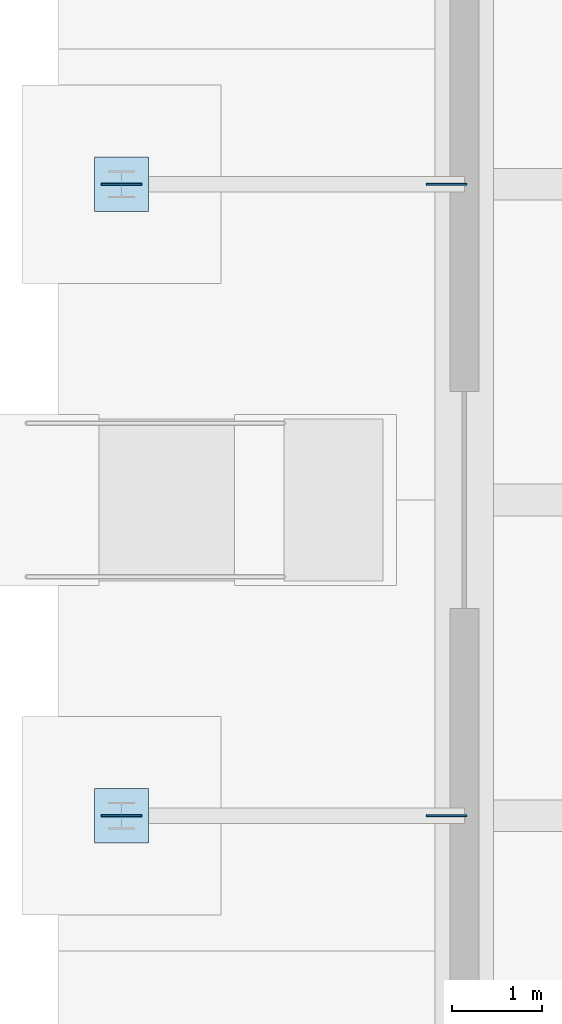
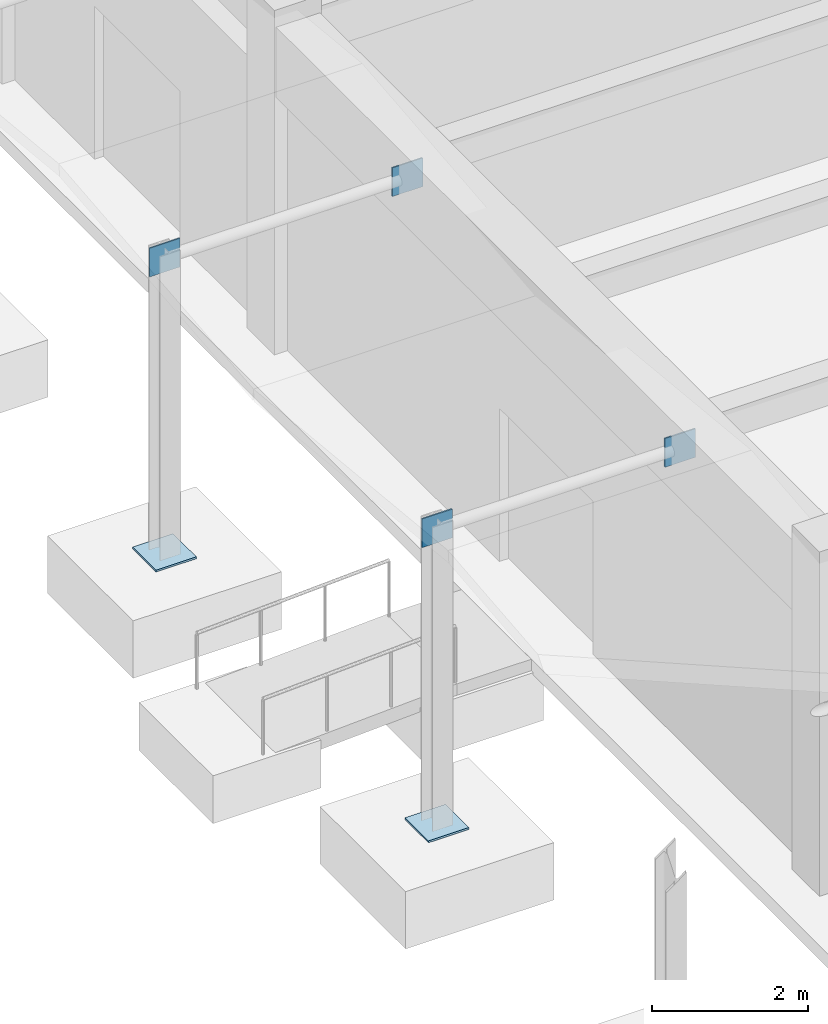
# One storey, part 15 of 40: 6 plates.
"""IFC4 building model written with IfcOpenShell, lengths in metres."""

from ifc_helpers import new_model, si_unit, direction, frame, origin, origin_2d, place, context, subcontext, project, spatial, rectangle, extrude, material, layer, layer_set, type_object, element, save


model = new_model("IFC4")

# Units and contexts
model_context = context("Model", 3, precision=1e-05, world=origin(), true_north=direction((0.0, 1.0)))
body_context = subcontext(model_context, "Body", "Model", "MODEL_VIEW")
ifc_project = project(units=[si_unit("LENGTHUNIT", "METRE"), si_unit("AREAUNIT", "SQUARE_METRE"), si_unit("VOLUMEUNIT", "CUBIC_METRE"), si_unit("PLANEANGLEUNIT", "RADIAN"), si_unit("MASSUNIT", "GRAM", prefix="KILO")], contexts=[model_context])

# Site, building, storey
site_placement = place(None, origin())
site = spatial("IfcSite", under=ifc_project, at=site_placement, CompositionType="ELEMENT")
building_placement = place(site_placement, origin())
building = spatial("IfcBuilding", under=site, at=building_placement, Name="Naurynzar Civic Courthouse", CompositionType="ELEMENT")
storey_placement = place(building_placement, origin())
storey = spatial("IfcBuildingStorey", under=building, at=storey_placement, Name="L01", CompositionType="ELEMENT", Elevation=0.0)

# Plates
ifc_material_1 = material(Name="Steel S355", Category="steel")
ifc_layer_1 = layer(ifc_material_1, 0.030029296875)
ifc_layer_set_1 = layer_set([ifc_layer_1], Name="PLT-BASE-600x600x30")
plate_type_1 = type_object("IfcPlateType", Name="PLT-BASE-600x600x30", PredefinedType="USERDEFINED", material=ifc_layer_set_1)
for number, where, z_axis, x_axis, name in (
    (1, (2.199951171875, 54.5, 0.0), (0.0, 0.0, 1.0), (1.0, 0.0, 0.0), "West canopy column base plate 2"),
    (2, (2.199951171875, 61.5, 0.0), (0.0, 0.0, 1.0), (1.0, 0.0, 0.0), "West canopy column base plate 3"),
):
    element("IfcPlate", number, at=place(storey_placement, frame(where, z_axis=z_axis, x_axis=x_axis)), inside=storey, type_object=plate_type_1, Name=name, ObjectType="BASE PLATE", PredefinedType="USERDEFINED", context=body_context, shape_type="SweptSolid", body=[
        extrude(rectangle(XDim=0.60009765625, YDim=0.60009765625, at=origin_2d()), origin(), (0.0, 0.0, 1.0), 0.030029296875),
    ])
ifc_material_2 = material(Name="Steel S355", Category="steel")
ifc_layer_2 = layer(ifc_material_2, 0.02001953125)
ifc_layer_set_2 = layer_set([ifc_layer_2], Name="PLT-GUSSET-450x450x20")
plate_type_2 = type_object("IfcPlateType", Name="PLT-GUSSET-450x450x20", PredefinedType="USERDEFINED", material=ifc_layer_set_2)
for number, where, z_axis, x_axis, name in (
    (3, (2.199951171875, 54.5, 4.4248046875), (0.0, 0.0, 1.0), (1.0, 0.0, 0.0), "West canopy strut west gusset plate 2"),
    (4, (5.800048828125, 54.5, 4.4248046875), (0.0, 0.0, 1.0), (1.0, 0.0, 0.0), "West canopy strut east gusset plate 2"),
    (5, (2.199951171875, 61.5, 4.4248046875), (0.0, 0.0, 1.0), (1.0, 0.0, 0.0), "West canopy strut west gusset plate 3"),
    (6, (5.800048828125, 61.5, 4.4248046875), (0.0, 0.0, 1.0), (1.0, 0.0, 0.0), "West canopy strut east gusset plate 3"),
):
    element("IfcPlate", number, at=place(storey_placement, frame(where, z_axis=z_axis, x_axis=x_axis)), inside=storey, type_object=plate_type_2, Name=name, ObjectType="GUSSET PLATE", PredefinedType="USERDEFINED", context=body_context, shape_type="SweptSolid", body=[
        extrude(rectangle(XDim=0.449951171875, YDim=0.02001953125, at=origin_2d()), origin(), (0.0, 0.0, 1.0), 0.449951171875),
    ])

save(model, "model.ifc")
